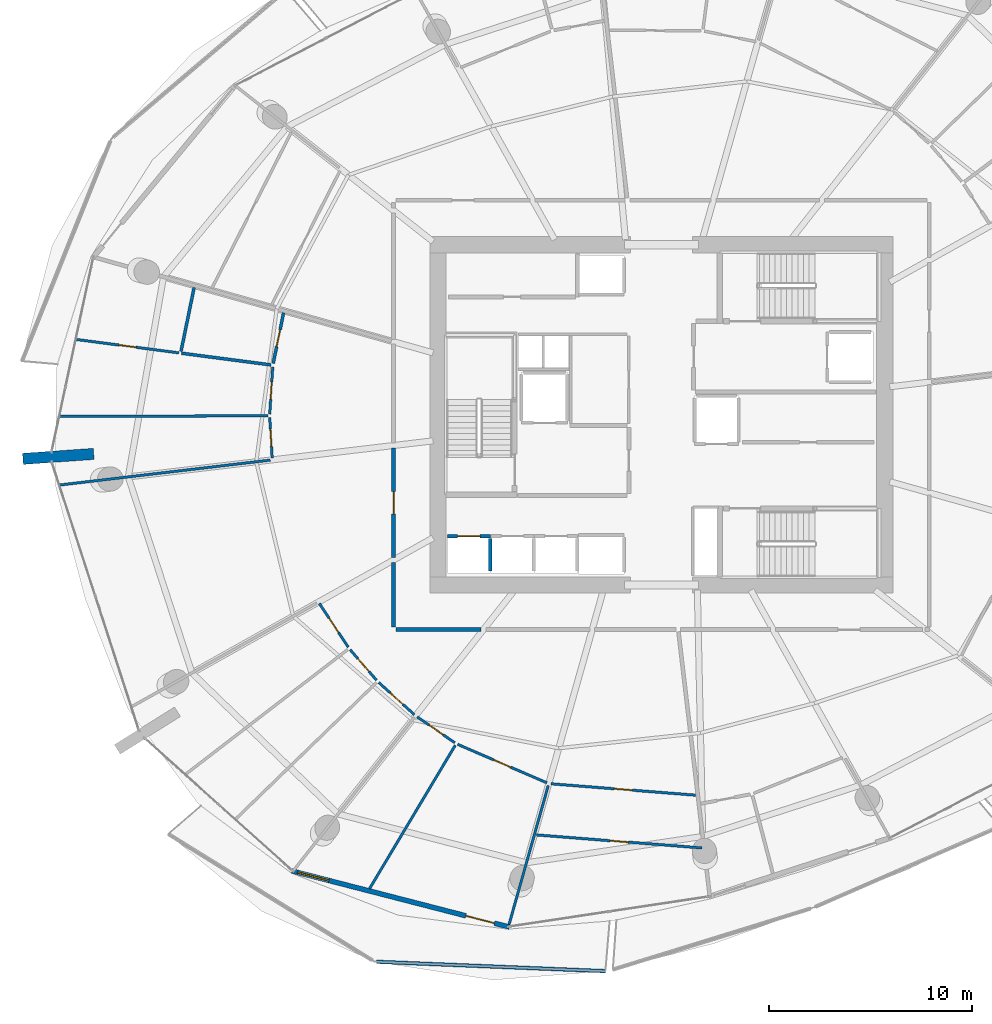
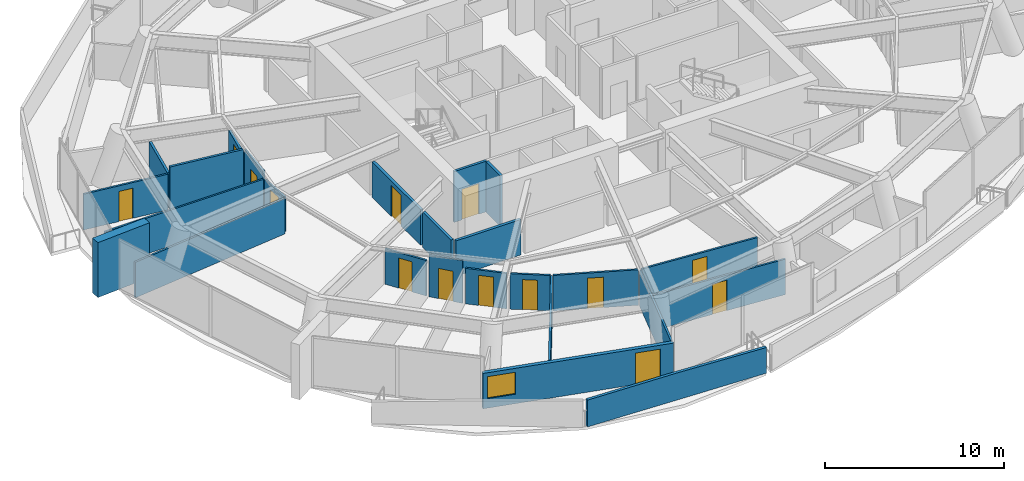
# One storey, part 11 of 23: 25 walls, 14 doors, 1 window, 15 openings.
"""IFC4 building model written with IfcOpenShell, lengths in metres."""

from ifc_helpers import new_model, si_unit, direction, frame, frame_2d, origin, place, context, subcontext, project, spatial, polyline, rectangle, outline, extrude, material, layer, layer_set, type_object, element, fill, save


model = new_model("IFC4")

# Units and contexts
model_context = context("Model", 3, precision=1e-05, world=origin(), true_north=direction((0.0, 1.0)))
body_context = subcontext(model_context, "Body", "Model", "MODEL_VIEW")
ifc_project = project(units=[si_unit("LENGTHUNIT", "METRE"), si_unit("AREAUNIT", "SQUARE_METRE"), si_unit("VOLUMEUNIT", "CUBIC_METRE"), si_unit("PLANEANGLEUNIT", "RADIAN"), si_unit("MASSUNIT", "GRAM", prefix="KILO")], contexts=[model_context])

# Site, building, storey
site_placement = place(None, origin())
site = spatial("IfcSite", under=ifc_project, at=site_placement, CompositionType="ELEMENT")
building_placement = place(site_placement, origin())
building = spatial("IfcBuilding", under=site, at=building_placement, Name="Kazma Halo Residences", CompositionType="ELEMENT")
storey_placement = place(building_placement, frame((0.0, 0.0, 112.64990234375)))
storey = spatial("IfcBuildingStorey", under=building, at=storey_placement, Name="L28", CompositionType="ELEMENT", Elevation=112.64990234375)

# Walls
ifc_material_1 = material(Name="White Concrete C50/60 Balustrade", Category="concrete")
ifc_layer_1 = layer(ifc_material_1, 0.179931640625)
ifc_layer_set_1 = layer_set([ifc_layer_1], Name="White Concrete C50/60 Balustrade")
wall_type_1 = type_object("IfcWallType", Name="WL-BAL-WAVE-180", PredefinedType="PARAPET", material=ifc_layer_set_1)
wall_1_placement = place(storey_placement, frame((34.362548828125, 14.994873046875, 0.0), z_axis=(0.0, 0.0, 1.0), x_axis=(0.999163903461, -0.040883909074, 0.0)))
element("IfcWall", 1, at=wall_1_placement, inside=storey, type_object=wall_type_1, Name="L28 white wave balustrade wall SW.2", PredefinedType="PARAPET", context=body_context, shape_type="SweptSolid", body=[
    extrude(outline(polyline([(0.0, 0.0), (11.316162109375, 0.0), (11.31640625, 1.756103515625), (5.658203125, 1.85302734375), (0.0, 1.83203125), (0.0, 0.0)])), frame((0.0, 0.08984375, 0.0), z_axis=(0.0, -1.0, 0.0), x_axis=(1.0, 0.0, 0.0)), (0.0, 0.0, 1.0), 0.179931640625),
])
ifc_material_2 = material(Name="Pale Concrete C60/75", Category="concrete")
ifc_layer_2 = layer(ifc_material_2, 0.550048828125)
ifc_layer_set_2 = layer_set([ifc_layer_2], Name="Pale Concrete C60/75")
wall_type_2 = type_object("IfcWallType", Name="WL-BLADE-550", PredefinedType="SOLIDWALL", material=ifc_layer_set_2)
wall_2_placement = place(storey_placement, frame((20.393798828125, 40.069580078125, 0.0), z_axis=(0.0, 0.0, 1.0), x_axis=(-0.997564163539, -0.069754853754, 0.0)))
element("IfcWall", 2, at=wall_2_placement, inside=storey, type_object=wall_type_2, Name="L28 pale concrete structural blade fin wall BW-02", PredefinedType="SOLIDWALL", context=body_context, shape_type="SweptSolid", body=[
    extrude(rectangle(XDim=3.5, YDim=0.550048828125, at=frame_2d((1.75, 0.0))), origin(), (0.0, 0.0, 1.0), 3.75),
])

# Wall, opening, door
ifc_material_3 = material(Name="Acoustic Twin-Stud Gypsum")
ifc_layer_3 = layer(ifc_material_3, 0.179931640625)
ifc_layer_set_3 = layer_set([ifc_layer_3], Name="Acoustic Twin-Stud Gypsum")
wall_type_3 = type_object("IfcWallType", Name="WL-DEM-180", PredefinedType="PARTITIONING", material=ifc_layer_set_3)
wall_3_placement = place(storey_placement, frame((35.199951171875, 40.364990234375, 0.0), z_axis=(0.0, 0.0, 1.0), x_axis=(0.0, -1.0, 0.0)))
wall_3 = element("IfcWall", 3, at=wall_3_placement, inside=storey, type_object=wall_type_3, Name="L28 Apartment 1 entrance corridor wall", PredefinedType="PARTITIONING", context=body_context, shape_type="SweptSolid", body=[
    extrude(rectangle(XDim=5.413330078125, YDim=0.179931640625, at=frame_2d((2.70654296875, 0.0))), origin(), (0.0, 0.0, 1.0), 2.427001953125),
])
opening_1_placement = place(wall_3_placement, frame((2.156494140625, 0.0, 0.0)))
opening_1 = element("IfcOpeningElement", 4, at=opening_1_placement, cuts=wall_3, Name="Opening DA-1100", PredefinedType="OPENING", context=body_context, shape_type="SweptSolid", body=[
    extrude(rectangle(XDim=1.10009765625, YDim=2.10009765625, at=frame_2d((0.550048828125, 1.050048828125))), frame((0.0, 0.099853515625, 0.0), z_axis=(0.0, -1.0, 0.0), x_axis=(1.0, 0.0, 0.0)), (0.0, 0.0, 1.0), 0.199951171875),
])
ifc_material_4 = material(Name="Acoustic Walnut Fire Leaf")
door_type_1 = type_object("IfcDoorType", Name="DR-FD60-1100", OperationType="NOTDEFINED", PredefinedType="DOOR", material=ifc_material_4)
door_1_placement = place(opening_1_placement, origin())
door_1 = element("IfcDoor", 5, at=door_1_placement, inside=storey, type_object=door_type_1, Name="L28 Apartment 1 entrance fire door", OperationType="SINGLE_SWING_RIGHT", OverallHeight=2.10009765625, OverallWidth=1.10009765625, PredefinedType="DOOR", context=body_context, shape_type="SweptSolid", body=[
    extrude(rectangle(XDim=1.10009765625, YDim=2.10009765625, at=frame_2d((0.550048828125, 1.050048828125))), frame((0.0, 0.02490234375, 0.0), z_axis=(0.0, -1.0, 0.0), x_axis=(1.0, 0.0, 0.0)), (0.0, 0.0, 1.0), 0.050048828125),
])
fill(opening_1, door_1)

# Walls
wall_4_placement = place(storey_placement, frame((35.199951171875, 34.711669921875, 0.0), z_axis=(0.0, 0.0, 1.0), x_axis=(0.0, -1.0, 0.0)))
element("IfcWall", 6, at=wall_4_placement, inside=storey, type_object=wall_type_3, Name="L28 Apartment 1 inner wall 8", PredefinedType="PARTITIONING", context=body_context, shape_type="SweptSolid", body=[
    extrude(rectangle(XDim=3.191650390625, YDim=0.179931640625, at=frame_2d((1.595703125, 0.0))), origin(), (0.0, 0.0, 1.0), 2.427001953125),
])
wall_5_placement = place(storey_placement, frame((35.320068359375, 31.39990234375, 0.0), z_axis=(0.0, 0.0, 1.0), x_axis=(1.0, 0.0, 0.0)))
element("IfcWall", 7, at=wall_5_placement, inside=storey, type_object=wall_type_3, Name="L28 Apartment 1 inner wall 8", PredefinedType="PARTITIONING", context=body_context, shape_type="SweptSolid", body=[
    extrude(rectangle(XDim=4.20361328125, YDim=0.179931640625, at=frame_2d((2.101806640625, 0.0))), origin(), (0.0, 0.0, 1.0), 2.427001953125),
])

# Wall, openings, door, window
ifc_material_5 = material(Name="Insulated Pale-Metal Composite Wall")
ifc_layer_4 = layer(ifc_material_5, 0.239990234375)
ifc_layer_set_4 = layer_set([ifc_layer_4], Name="Insulated Pale-Metal Composite Wall")
wall_type_4 = type_object("IfcWallType", Name="WL-EXT-HOST-240", PredefinedType="SOLIDWALL", material=ifc_layer_set_4)
wall_6_placement = place(storey_placement, frame((30.18603515625, 19.47705078125, 0.0), z_axis=(0.0, 0.0, 1.0), x_axis=(0.968356180858, -0.249572248045, 0.0)))
wall_6 = element("IfcWall", 8, at=wall_6_placement, inside=storey, type_object=wall_type_4, Name="L28 exterior terrace-access wall B10", PredefinedType="SOLIDWALL", context=body_context, shape_type="SweptSolid", body=[
    extrude(rectangle(XDim=11.08447265625, YDim=0.239990234375, at=frame_2d((5.542236328125, 0.0))), origin(), (0.0, 0.0, 1.0), 2.420166015625),
])
opening_2_placement = place(wall_6_placement, frame((8.864501953125, 0.0, 0.0)))
opening_2 = element("IfcOpeningElement", 9, at=opening_2_placement, cuts=wall_6, Name="Opening DTR-1600", PredefinedType="OPENING", context=body_context, shape_type="SweptSolid", body=[
    extrude(rectangle(XDim=1.449951171875, YDim=2.14990234375, at=frame_2d((0.72509765625, 1.074951171875))), frame((0.0, 0.1298828125, 0.0), z_axis=(0.0, -1.0, 0.0), x_axis=(1.0, 0.0, 0.0)), (0.0, 0.0, 1.0), 0.260009765625),
])
opening_3_placement = place(wall_6_placement, frame((0.280029296875, 0.0, 0.64990234375)))
opening_3 = element("IfcOpeningElement", 10, at=opening_3_placement, cuts=wall_6, Name="Opening W-1800", PredefinedType="OPENING", context=body_context, shape_type="SweptSolid", body=[
    extrude(rectangle(XDim=1.60009765625, YDim=1.5, at=frame_2d((0.800048828125, 0.75))), frame((0.0, 0.1298828125, 0.0), z_axis=(0.0, -1.0, 0.0), x_axis=(1.0, 0.0, 0.0)), (0.0, 0.0, 1.0), 0.260009765625),
])
ifc_material_6 = material(Name="Aluminium AW-6063 T6 Double-Glazed Terrace Door", Category="aluminium")
door_type_2 = type_object("IfcDoorType", Name="DR-EXT-TERR-1600", OperationType="NOTDEFINED", PredefinedType="DOOR", material=ifc_material_6)
door_2_placement = place(opening_2_placement, origin())
door_2 = element("IfcDoor", 11, at=door_2_placement, inside=storey, type_object=door_type_2, Name="L28 B10 balcony terrace door", OperationType="DOUBLE_DOOR_SLIDING", OverallHeight=2.14990234375, OverallWidth=1.449951171875, PredefinedType="DOOR", context=body_context, shape_type="SweptSolid", body=[
    extrude(rectangle(XDim=1.449951171875, YDim=2.14990234375, at=frame_2d((0.72509765625, 1.074951171875))), frame((0.0, 0.02490234375, 0.0), z_axis=(0.0, -1.0, 0.0), x_axis=(1.0, 0.0, 0.0)), (0.0, 0.0, 1.0), 0.050048828125),
])
fill(opening_2, door_2)
ifc_material_7 = material(Name="Clear Triple-Silver Low-E Glass in Aluminium AW-6063 T6 Frame", Category="aluminium")
window_type = type_object("IfcWindowType", Name="WIN-RES-1800", PartitioningType="DOUBLE_PANEL_VERTICAL", PredefinedType="WINDOW", material=ifc_material_7)
window_placement = place(opening_3_placement, origin())
window = element("IfcWindow", 12, at=window_placement, inside=storey, type_object=window_type, Name="L28 B10 apartment window", OverallHeight=1.5, OverallWidth=1.60009765625, PartitioningType="SINGLE_PANEL", PredefinedType="WINDOW", context=body_context, shape_type="SweptSolid", body=[
    extrude(rectangle(XDim=1.60009765625, YDim=1.5, at=frame_2d((0.800048828125, 0.75))), frame((0.0, 0.030029296875, 0.0), z_axis=(0.0, -1.0, 0.0), x_axis=(1.0, 0.0, 0.0)), (0.0, 0.0, 1.0), 0.06005859375),
])
fill(opening_3, window)

# Wall, opening, door
ifc_material_8 = material(Name="Fire-Rated Blockwork Masonry", Category="masonry")
ifc_layer_5 = layer(ifc_material_8, 0.199951171875)
ifc_layer_set_5 = layer_set([ifc_layer_5], Name="Fire-Rated Blockwork Masonry")
wall_type_5 = type_object("IfcWallType", Name="WL-FLB-200", PredefinedType="PARTITIONING", material=ifc_layer_set_5)
wall_7_placement = place(storey_placement, frame((37.864990234375, 36.0048828125, 0.0), z_axis=(0.0, 0.0, 1.0), x_axis=(1.0, 0.0, 0.0)))
wall_7 = element("IfcWall", 13, at=wall_7_placement, inside=storey, type_object=wall_type_5, Name="L28 lift shaft PL-01 front wall", PredefinedType="PARTITIONING", context=body_context, shape_type="SweptSolid", body=[
    extrude(rectangle(XDim=2.110107421875, YDim=0.159912109375, at=frame_2d((1.05517578125, 0.0))), origin(), (0.0, 0.0, 1.0), 3.47021484375),
])
opening_4_placement = place(wall_7_placement, frame((0.5048828125, 0.0, 0.0)))
opening_4 = element("IfcOpeningElement", 14, at=opening_4_placement, cuts=wall_7, Name="Opening LD-PL-01", PredefinedType="OPENING", context=body_context, shape_type="SweptSolid", body=[
    extrude(rectangle(XDim=1.10009765625, YDim=2.10009765625, at=frame_2d((0.550048828125, 1.050048828125))), frame((0.0, 0.08984375, 0.0), z_axis=(0.0, -1.0, 0.0), x_axis=(1.0, 0.0, 0.0)), (0.0, 0.0, 1.0), 0.179931640625),
])
ifc_material_9 = material(Name="Stainless Steel Fire-Rated", Category="steel")
door_type_3 = type_object("IfcDoorType", Name="DR-LIFT-SLD-1100", OperationType="DOUBLE_DOOR_SLIDING", PredefinedType="DOOR", material=ifc_material_9)
door_3_placement = place(opening_4_placement, origin())
door_3 = element("IfcDoor", 15, at=door_3_placement, inside=storey, type_object=door_type_3, Name="L28 lift PL-01 sliding landing door", OperationType="DOUBLE_DOOR_SLIDING", OverallHeight=2.10009765625, OverallWidth=1.10009765625, PredefinedType="DOOR", context=body_context, shape_type="SweptSolid", body=[
    extrude(rectangle(XDim=1.10009765625, YDim=2.10009765625, at=frame_2d((0.550048828125, 1.050048828125))), frame((0.0, 0.02490234375, 0.0), z_axis=(0.0, -1.0, 0.0), x_axis=(1.0, 0.0, 0.0)), (0.0, 0.0, 1.0), 0.050048828125),
])
fill(opening_4, door_3)

# Walls
wall_8_placement = place(storey_placement, frame((39.97509765625, 34.294921875, 0.0), z_axis=(0.0, 0.0, 1.0), x_axis=(0.0, 1.0, 0.0)))
element("IfcWall", 16, at=wall_8_placement, inside=storey, type_object=wall_type_5, Name="L28 lift shaft PL-01 side wall E", PredefinedType="PARTITIONING", context=body_context, shape_type="SweptSolid", body=[
    extrude(rectangle(XDim=1.610107421875, YDim=0.159912109375, at=frame_2d((0.80517578125, 0.0))), origin(), (0.0, 0.0, 1.0), 3.47021484375),
])
ifc_material_10 = material(Name="Gypsum Plasterboard Partition")
ifc_layer_6 = layer(ifc_material_10, 0.125)
ifc_layer_set_6 = layer_set([ifc_layer_6], Name="Gypsum Plasterboard Partition")
wall_type_6 = type_object("IfcWallType", Name="WL-PART-125", PredefinedType="PARTITIONING", material=ifc_layer_set_6)
wall_9_placement = place(storey_placement, frame((29.11279296875, 39.764404296875, 0.0), z_axis=(0.0, 0.0, 1.0), x_axis=(-0.993070875002, -0.117516965677, 0.0)))
element("IfcWall", 17, at=wall_9_placement, inside=storey, type_object=wall_type_6, Name="L28 Apartment 1 living radial partition 6", PredefinedType="PARTITIONING", context=body_context, shape_type="SweptSolid", body=[
    extrude(rectangle(XDim=10.460205078125, YDim=0.125, at=frame_2d((5.22998046875, 0.0))), origin(), (0.0, 0.0, 1.0), 2.427001953125),
])

# Wall, opening, door
wall_10_placement = place(storey_placement, frame((24.60009765625, 45.058837890625, 0.0), z_axis=(0.0, 0.0, 1.0), x_axis=(-0.991566000337, 0.129602727501, 0.0)))
wall_10 = element("IfcWall", 18, at=wall_10_placement, inside=storey, type_object=wall_type_6, Name="L28 Apartment 1 Household Store Room partition wall", PredefinedType="PARTITIONING", context=body_context, shape_type="SweptSolid", body=[
    extrude(rectangle(XDim=5.108642578125, YDim=0.125, at=frame_2d((2.55419921875, 0.0))), origin(), (0.0, 0.0, 1.0), 2.445068359375),
])
opening_5_placement = place(wall_10_placement, frame((2.12939453125, 0.0, 0.0)))
opening_5 = element("IfcOpeningElement", 19, at=opening_5_placement, cuts=wall_10, Name="Opening DB-900", PredefinedType="OPENING", context=body_context, shape_type="SweptSolid", body=[
    extrude(rectangle(XDim=0.85009765625, YDim=2.06005859375, at=frame_2d((0.425048828125, 1.030029296875))), frame((0.0, 0.072509765625, 0.0), z_axis=(0.0, -1.0, 0.0), x_axis=(1.0, 0.0, 0.0)), (0.0, 0.0, 1.0), 0.14501953125),
])
ifc_material_11 = material(Name="Moisture-Sealed Timber Leaf", Category="wood")
door_type_4 = type_object("IfcDoorType", Name="DR-BTH-900", OperationType="NOTDEFINED", PredefinedType="DOOR", material=ifc_material_11)
door_4_placement = place(opening_5_placement, origin())
door_4 = element("IfcDoor", 20, at=door_4_placement, inside=storey, type_object=door_type_4, Name="L28 Apartment 1 Household Store Room door", OperationType="SINGLE_SWING_RIGHT", OverallHeight=2.06005859375, OverallWidth=0.85009765625, PredefinedType="DOOR", context=body_context, shape_type="SweptSolid", body=[
    extrude(rectangle(XDim=0.85009765625, YDim=2.06005859375, at=frame_2d((0.425048828125, 1.030029296875))), frame((0.0, 0.02490234375, 0.0), z_axis=(0.0, -1.0, 0.0), x_axis=(1.0, 0.0, 0.0)), (0.0, 0.0, 1.0), 0.050048828125),
])
fill(opening_5, door_4)

# Wall
wall_11_placement = place(storey_placement, frame((28.9912109375, 41.950927734375, 0.0), z_axis=(0.0, 0.0, 1.0), x_axis=(-0.999996643903, -0.002590788034, 0.0)))
element("IfcWall", 21, at=wall_11_placement, inside=storey, type_object=wall_type_6, Name="L28 Apartment 1 suite divider 6", PredefinedType="PARTITIONING", context=body_context, shape_type="SweptSolid", body=[
    extrude(rectangle(XDim=10.271484375, YDim=0.125, at=frame_2d((5.1357421875, 0.0))), origin(), (0.0, 0.0, 1.0), 2.445068359375),
])

# Wall, opening, door
wall_12_placement = place(storey_placement, frame((29.23486328125, 44.3623046875, 0.0), z_axis=(0.0, 0.0, 1.0), x_axis=(-0.063647003528, -0.99797247404, 0.0)))
wall_12 = element("IfcWall", 22, at=wall_12_placement, inside=storey, type_object=wall_type_6, Name="L28 Apartment 1 Gourmet Kitchen hall wall", PredefinedType="PARTITIONING", context=body_context, shape_type="SweptSolid", body=[
    extrude(rectangle(XDim=2.3359375, YDim=0.125, at=frame_2d((1.16796875, 0.0))), origin(), (0.0, 0.0, 1.0), 2.91015625),
])
opening_6_placement = place(wall_12_placement, frame((0.7431640625, 0.0, 0.0)))
opening_6 = element("IfcOpeningElement", 23, at=opening_6_placement, cuts=wall_12, Name="Opening DB-900", PredefinedType="OPENING", context=body_context, shape_type="SweptSolid", body=[
    extrude(rectangle(XDim=0.85009765625, YDim=2.06005859375, at=frame_2d((0.425048828125, 1.030029296875))), frame((0.0, 0.072509765625, 0.0), z_axis=(0.0, -1.0, 0.0), x_axis=(1.0, 0.0, 0.0)), (0.0, 0.0, 1.0), 0.14501953125),
])
door_5_placement = place(opening_6_placement, origin())
door_5 = element("IfcDoor", 24, at=door_5_placement, inside=storey, type_object=door_type_4, Name="L28 Apartment 1 Gourmet Kitchen door", OperationType="SINGLE_SWING_LEFT", OverallHeight=2.06005859375, OverallWidth=0.85009765625, PredefinedType="DOOR", context=body_context, shape_type="SweptSolid", body=[
    extrude(rectangle(XDim=0.85009765625, YDim=2.06005859375, at=frame_2d((0.425048828125, 1.030029296875))), frame((0.0, 0.02490234375, 0.0), z_axis=(0.0, -1.0, 0.0), x_axis=(1.0, 0.0, 0.0)), (0.0, 0.0, 1.0), 0.050048828125),
])
fill(opening_6, door_5)

wall_13_placement = place(storey_placement, frame((29.0859375, 41.87109375, 0.0), z_axis=(0.0, 0.0, 1.0), x_axis=(0.060104090143, -0.99819211495, 0.0)))
wall_13 = element("IfcWall", 25, at=wall_13_placement, inside=storey, type_object=wall_type_6, Name="L28 Apartment 1 Primary Bedroom hall wall", PredefinedType="PARTITIONING", context=body_context, shape_type="SweptSolid", body=[
    extrude(rectangle(XDim=1.99853515625, YDim=0.125, at=frame_2d((0.999267578125, 0.0))), origin(), (0.0, 0.0, 1.0), 2.427001953125),
])
opening_7_placement = place(wall_13_placement, frame((0.574462890625, 0.0, 0.0)))
opening_7 = element("IfcOpeningElement", 26, at=opening_7_placement, cuts=wall_13, Name="Opening DB-900", PredefinedType="OPENING", context=body_context, shape_type="SweptSolid", body=[
    extrude(rectangle(XDim=0.85009765625, YDim=2.06005859375, at=frame_2d((0.425048828125, 1.030029296875))), frame((0.0, 0.072509765625, 0.0), z_axis=(0.0, -1.0, 0.0), x_axis=(1.0, 0.0, 0.0)), (0.0, 0.0, 1.0), 0.14501953125),
])
door_6_placement = place(opening_7_placement, origin())
door_6 = element("IfcDoor", 27, at=door_6_placement, inside=storey, type_object=door_type_4, Name="L28 Apartment 1 Primary Bedroom door", OperationType="SINGLE_SWING_RIGHT", OverallHeight=2.06005859375, OverallWidth=0.85009765625, PredefinedType="DOOR", context=body_context, shape_type="SweptSolid", body=[
    extrude(rectangle(XDim=0.85009765625, YDim=2.06005859375, at=frame_2d((0.425048828125, 1.030029296875))), frame((0.0, 0.02490234375, 0.0), z_axis=(0.0, -1.0, 0.0), x_axis=(1.0, 0.0, 0.0)), (0.0, 0.0, 1.0), 0.050048828125),
])
fill(opening_7, door_6)

wall_14_placement = place(storey_placement, frame((31.537353515625, 32.68896484375, 0.0), z_axis=(0.0, 0.0, 1.0), x_axis=(0.550619938064, -0.834756062455, 0.0)))
wall_14 = element("IfcWall", 28, at=wall_14_placement, inside=storey, type_object=wall_type_6, Name="L28 Apartment 1 North Bedroom hall wall", PredefinedType="PARTITIONING", context=body_context, shape_type="SweptSolid", body=[
    extrude(rectangle(XDim=2.58642578125, YDim=0.125, at=frame_2d((1.293212890625, 0.0))), origin(), (0.0, 0.0, 1.0), 2.427001953125),
])
opening_8_placement = place(wall_14_placement, frame((0.8681640625, 0.0, 0.0)))
opening_8 = element("IfcOpeningElement", 29, at=opening_8_placement, cuts=wall_14, Name="Opening DB-900", PredefinedType="OPENING", context=body_context, shape_type="SweptSolid", body=[
    extrude(rectangle(XDim=0.85009765625, YDim=2.06005859375, at=frame_2d((0.425048828125, 1.030029296875))), frame((0.0, 0.072509765625, 0.0), z_axis=(0.0, -1.0, 0.0), x_axis=(1.0, 0.0, 0.0)), (0.0, 0.0, 1.0), 0.14501953125),
])
door_7_placement = place(opening_8_placement, origin())
door_7 = element("IfcDoor", 30, at=door_7_placement, inside=storey, type_object=door_type_4, Name="L28 Apartment 1 North Bedroom door", OperationType="SINGLE_SWING_RIGHT", OverallHeight=2.06005859375, OverallWidth=0.85009765625, PredefinedType="DOOR", context=body_context, shape_type="SweptSolid", body=[
    extrude(rectangle(XDim=0.85009765625, YDim=2.06005859375, at=frame_2d((0.425048828125, 1.030029296875))), frame((0.0, 0.02490234375, 0.0), z_axis=(0.0, -1.0, 0.0), x_axis=(1.0, 0.0, 0.0)), (0.0, 0.0, 1.0), 0.050048828125),
])
fill(opening_8, door_7)

wall_15_placement = place(storey_placement, frame((33.057861328125, 30.402587890625, 0.0), z_axis=(0.0, 0.0, 1.0), x_axis=(0.653992855141, -0.756500724008, 0.0)))
wall_15 = element("IfcWall", 31, at=wall_15_placement, inside=storey, type_object=wall_type_6, Name="L28 Apartment 1 South Study hall wall", PredefinedType="PARTITIONING", context=body_context, shape_type="SweptSolid", body=[
    extrude(rectangle(XDim=1.993408203125, YDim=0.125, at=frame_2d((0.99658203125, 0.0))), origin(), (0.0, 0.0, 1.0), 2.91015625),
])
opening_9_placement = place(wall_15_placement, frame((0.57177734375, 0.0, 0.0)))
opening_9 = element("IfcOpeningElement", 32, at=opening_9_placement, cuts=wall_15, Name="Opening DB-900", PredefinedType="OPENING", context=body_context, shape_type="SweptSolid", body=[
    extrude(rectangle(XDim=0.85009765625, YDim=2.06005859375, at=frame_2d((0.425048828125, 1.030029296875))), frame((0.0, 0.072509765625, 0.0), z_axis=(0.0, -1.0, 0.0), x_axis=(1.0, 0.0, 0.0)), (0.0, 0.0, 1.0), 0.14501953125),
])
door_8_placement = place(opening_9_placement, origin())
door_8 = element("IfcDoor", 33, at=door_8_placement, inside=storey, type_object=door_type_4, Name="L28 Apartment 1 South Study door", OperationType="SINGLE_SWING_LEFT", OverallHeight=2.06005859375, OverallWidth=0.85009765625, PredefinedType="DOOR", context=body_context, shape_type="SweptSolid", body=[
    extrude(rectangle(XDim=0.85009765625, YDim=2.06005859375, at=frame_2d((0.425048828125, 1.030029296875))), frame((0.0, 0.02490234375, 0.0), z_axis=(0.0, -1.0, 0.0), x_axis=(1.0, 0.0, 0.0)), (0.0, 0.0, 1.0), 0.050048828125),
])
fill(opening_9, door_8)

wall_16_placement = place(storey_placement, frame((34.47314453125, 28.780517578125, 0.0), z_axis=(0.0, 0.0, 1.0), x_axis=(0.742276601868, -0.670093610117, 0.0)))
wall_16 = element("IfcWall", 34, at=wall_16_placement, inside=storey, type_object=wall_type_6, Name="L28 Apartment 1 Inner Bedroom hall wall", PredefinedType="PARTITIONING", context=body_context, shape_type="SweptSolid", body=[
    extrude(rectangle(XDim=2.3642578125, YDim=0.125, at=frame_2d((1.18212890625, 0.0))), origin(), (0.0, 0.0, 1.0), 2.427001953125),
])
opening_10_placement = place(wall_16_placement, frame((0.757080078125, 0.0, 0.0)))
opening_10 = element("IfcOpeningElement", 35, at=opening_10_placement, cuts=wall_16, Name="Opening DB-900", PredefinedType="OPENING", context=body_context, shape_type="SweptSolid", body=[
    extrude(rectangle(XDim=0.85009765625, YDim=2.06005859375, at=frame_2d((0.425048828125, 1.030029296875))), frame((0.0, 0.072509765625, 0.0), z_axis=(0.0, -1.0, 0.0), x_axis=(1.0, 0.0, 0.0)), (0.0, 0.0, 1.0), 0.14501953125),
])
door_9_placement = place(opening_10_placement, origin())
door_9 = element("IfcDoor", 36, at=door_9_placement, inside=storey, type_object=door_type_4, Name="L28 Apartment 1 Inner Bedroom door", OperationType="SINGLE_SWING_RIGHT", OverallHeight=2.06005859375, OverallWidth=0.85009765625, PredefinedType="DOOR", context=body_context, shape_type="SweptSolid", body=[
    extrude(rectangle(XDim=0.85009765625, YDim=2.06005859375, at=frame_2d((0.425048828125, 1.030029296875))), frame((0.0, 0.02490234375, 0.0), z_axis=(0.0, -1.0, 0.0), x_axis=(1.0, 0.0, 0.0)), (0.0, 0.0, 1.0), 0.050048828125),
])
fill(opening_10, door_9)

# Wall
wall_17_placement = place(storey_placement, frame((38.24658203125, 25.683837890625, 0.0), z_axis=(0.0, 0.0, 1.0), x_axis=(-0.51308300355, -0.858338995658, 0.0)))
element("IfcWall", 37, at=wall_17_placement, inside=storey, type_object=wall_type_6, Name="L28 Apartment 1 mid-bay wall 9", PredefinedType="PARTITIONING", context=body_context, shape_type="SweptSolid", body=[
    extrude(rectangle(XDim=8.238037109375, YDim=0.125, at=frame_2d((4.119140625, 0.0))), origin(), (0.0, 0.0, 1.0), 2.445068359375),
])

# Wall, opening, door
wall_18_placement = place(storey_placement, frame((36.369873046875, 27.0859375, 0.0), z_axis=(0.0, 0.0, 1.0), x_axis=(0.823491864383, -0.567328079065, 0.0)))
wall_18 = element("IfcWall", 38, at=wall_18_placement, inside=storey, type_object=wall_type_6, Name="L28 Apartment 1 Outer Wine Pantry Store hall wall", PredefinedType="PARTITIONING", context=body_context, shape_type="SweptSolid", body=[
    extrude(rectangle(XDim=2.2548828125, YDim=0.125, at=frame_2d((1.12744140625, 0.0))), origin(), (0.0, 0.0, 1.0), 2.427001953125),
])
opening_11_placement = place(wall_18_placement, frame((0.702392578125, 0.0, 0.0)))
opening_11 = element("IfcOpeningElement", 39, at=opening_11_placement, cuts=wall_18, Name="Opening DB-900", PredefinedType="OPENING", context=body_context, shape_type="SweptSolid", body=[
    extrude(rectangle(XDim=0.85009765625, YDim=2.06005859375, at=frame_2d((0.425048828125, 1.030029296875))), frame((0.0, 0.072509765625, 0.0), z_axis=(0.0, -1.0, 0.0), x_axis=(1.0, 0.0, 0.0)), (0.0, 0.0, 1.0), 0.14501953125),
])
door_10_placement = place(opening_11_placement, origin())
door_10 = element("IfcDoor", 40, at=door_10_placement, inside=storey, type_object=door_type_4, Name="L28 Apartment 1 Outer Wine Pantry Store door", OperationType="SINGLE_SWING_RIGHT", OverallHeight=2.06005859375, OverallWidth=0.85009765625, PredefinedType="DOOR", context=body_context, shape_type="SweptSolid", body=[
    extrude(rectangle(XDim=0.85009765625, YDim=2.06005859375, at=frame_2d((0.425048828125, 1.030029296875))), frame((0.0, 0.02490234375, 0.0), z_axis=(0.0, -1.0, 0.0), x_axis=(1.0, 0.0, 0.0)), (0.0, 0.0, 1.0), 0.050048828125),
])
fill(opening_11, door_10)

wall_19_placement = place(storey_placement, frame((38.3662109375, 25.7294921875, 0.0), z_axis=(0.0, 0.0, 1.0), x_axis=(0.918374782562, -0.395711711673, 0.0)))
wall_19 = element("IfcWall", 41, at=wall_19_placement, inside=storey, type_object=wall_type_6, Name="L28 Apartment 1 Corner Formal Dining Room hall wall", PredefinedType="PARTITIONING", context=body_context, shape_type="SweptSolid", body=[
    extrude(rectangle(XDim=4.798095703125, YDim=0.125, at=frame_2d((2.39892578125, 0.0))), origin(), (0.0, 0.0, 1.0), 2.427001953125),
])
opening_12_placement = place(wall_19_placement, frame((1.94921875, 0.0, 0.0)))
opening_12 = element("IfcOpeningElement", 42, at=opening_12_placement, cuts=wall_19, Name="Opening DI-950", PredefinedType="OPENING", context=body_context, shape_type="SweptSolid", body=[
    extrude(rectangle(XDim=0.89990234375, YDim=2.080078125, at=frame_2d((0.449951171875, 1.0400390625))), frame((0.0, 0.072509765625, 0.0), z_axis=(0.0, -1.0, 0.0), x_axis=(1.0, 0.0, 0.0)), (0.0, 0.0, 1.0), 0.14501953125),
])
ifc_material_12 = material(Name="Timber Veneer Flush Leaf", Category="wood")
door_type_5 = type_object("IfcDoorType", Name="DR-INT-950", OperationType="NOTDEFINED", PredefinedType="DOOR", material=ifc_material_12)
door_11_placement = place(opening_12_placement, origin())
door_11 = element("IfcDoor", 43, at=door_11_placement, inside=storey, type_object=door_type_5, Name="L28 Apartment 1 Corner Formal Dining Room door", OperationType="SINGLE_SWING_LEFT", OverallHeight=2.080078125, OverallWidth=0.89990234375, PredefinedType="DOOR", context=body_context, shape_type="SweptSolid", body=[
    extrude(rectangle(XDim=0.89990234375, YDim=2.080078125, at=frame_2d((0.449951171875, 1.0400390625))), frame((0.0, 0.02490234375, 0.0), z_axis=(0.0, -1.0, 0.0), x_axis=(1.0, 0.0, 0.0)), (0.0, 0.0, 1.0), 0.050048828125),
])
fill(opening_12, door_11)

# Wall
wall_20_placement = place(storey_placement, frame((42.83740234375, 23.695068359375, 0.0), z_axis=(0.0, 0.0, 1.0), x_axis=(-0.271444688389, -0.962454041056, 0.0)))
element("IfcWall", 44, at=wall_20_placement, inside=storey, type_object=wall_type_6, Name="L28 Apartment 1 radial partition 10", PredefinedType="PARTITIONING", context=body_context, shape_type="SweptSolid", body=[
    extrude(rectangle(XDim=7.118896484375, YDim=0.125, at=frame_2d((3.5595703125, 0.0))), origin(), (0.0, 0.0, 1.0), 2.427001953125),
])

# Wall, opening, door
wall_21_placement = place(storey_placement, frame((42.974365234375, 23.78271484375, 0.0), z_axis=(0.0, 0.0, 1.0), x_axis=(0.996916140978, -0.078474249642, 0.0)))
wall_21 = element("IfcWall", 45, at=wall_21_placement, inside=storey, type_object=wall_type_6, Name="L28 Apartment 1 Garden Study hall wall", PredefinedType="PARTITIONING", context=body_context, shape_type="SweptSolid", body=[
    extrude(rectangle(XDim=7.16162109375, YDim=0.125, at=frame_2d((3.580810546875, 0.0))), origin(), (0.0, 0.0, 1.0), 2.427001953125),
])
opening_13_placement = place(wall_21_placement, frame((3.130859375, 0.0, 0.0)))
opening_13 = element("IfcOpeningElement", 46, at=opening_13_placement, cuts=wall_21, Name="Opening DI-950", PredefinedType="OPENING", context=body_context, shape_type="SweptSolid", body=[
    extrude(rectangle(XDim=0.89990234375, YDim=2.080078125, at=frame_2d((0.449951171875, 1.0400390625))), frame((0.0, 0.072509765625, 0.0), z_axis=(0.0, -1.0, 0.0), x_axis=(1.0, 0.0, 0.0)), (0.0, 0.0, 1.0), 0.14501953125),
])
door_12_placement = place(opening_13_placement, origin())
door_12 = element("IfcDoor", 47, at=door_12_placement, inside=storey, type_object=door_type_5, Name="L28 Apartment 1 Garden Study door", OperationType="SINGLE_SWING_LEFT", OverallHeight=2.080078125, OverallWidth=0.89990234375, PredefinedType="DOOR", context=body_context, shape_type="SweptSolid", body=[
    extrude(rectangle(XDim=0.89990234375, YDim=2.080078125, at=frame_2d((0.449951171875, 1.0400390625))), frame((0.0, 0.02490234375, 0.0), z_axis=(0.0, -1.0, 0.0), x_axis=(1.0, 0.0, 0.0)), (0.0, 0.0, 1.0), 0.050048828125),
])
fill(opening_13, door_12)

wall_22_placement = place(storey_placement, frame((42.26220703125, 21.25830078125, 0.0), z_axis=(0.0, 0.0, 1.0), x_axis=(0.99691622747, -0.078473150864, 0.0)))
wall_22 = element("IfcWall", 48, at=wall_22_placement, inside=storey, type_object=wall_type_6, Name="L28 Apartment 1 Sky Bedroom divider wall", PredefinedType="PARTITIONING", context=body_context, shape_type="SweptSolid", body=[
    extrude(rectangle(XDim=8.185302734375, YDim=0.125, at=frame_2d((4.0927734375, 0.0))), origin(), (0.0, 0.0, 1.0), 2.427001953125),
])
opening_14_placement = place(wall_22_placement, frame((3.642578125, 0.0, 0.0)))
opening_14 = element("IfcOpeningElement", 49, at=opening_14_placement, cuts=wall_22, Name="Opening DI-950", PredefinedType="OPENING", context=body_context, shape_type="SweptSolid", body=[
    extrude(rectangle(XDim=0.89990234375, YDim=2.080078125, at=frame_2d((0.449951171875, 1.0400390625))), frame((0.0, 0.072509765625, 0.0), z_axis=(0.0, -1.0, 0.0), x_axis=(1.0, 0.0, 0.0)), (0.0, 0.0, 1.0), 0.14501953125),
])
door_13_placement = place(opening_14_placement, origin())
door_13 = element("IfcDoor", 50, at=door_13_placement, inside=storey, type_object=door_type_5, Name="L28 Apartment 1 Sky Bedroom door", OperationType="SINGLE_SWING_RIGHT", OverallHeight=2.080078125, OverallWidth=0.89990234375, PredefinedType="DOOR", context=body_context, shape_type="SweptSolid", body=[
    extrude(rectangle(XDim=0.89990234375, YDim=2.080078125, at=frame_2d((0.449951171875, 1.0400390625))), frame((0.0, 0.02490234375, 0.0), z_axis=(0.0, -1.0, 0.0), x_axis=(1.0, 0.0, 0.0)), (0.0, 0.0, 1.0), 0.050048828125),
])
fill(opening_14, door_13)

ifc_material_13 = material(Name="Moisture-Resistant Gypsum")
ifc_layer_7 = layer(ifc_material_13, 0.14990234375)
ifc_layer_set_7 = layer_set([ifc_layer_7], Name="Moisture-Resistant Gypsum")
wall_type_7 = type_object("IfcWallType", Name="WL-WET-150", PredefinedType="PARTITIONING", material=ifc_layer_set_7)
wall_23_placement = place(storey_placement, frame((29.771240234375, 47.037353515625, 0.0), z_axis=(0.0, 0.0, 1.0), x_axis=(-0.201031337284, -0.979584810739, 0.0)))
wall_23 = element("IfcWall", 51, at=wall_23_placement, inside=storey, type_object=wall_type_7, Name="L28 Apartment 1 Guest Bathroom hall wall", PredefinedType="PARTITIONING", context=body_context, shape_type="SweptSolid", body=[
    extrude(rectangle(XDim=2.549072265625, YDim=0.14990234375, at=frame_2d((1.2744140625, 0.0))), origin(), (0.0, 0.0, 1.0), 2.427001953125),
])
opening_15_placement = place(wall_23_placement, frame((0.849609375, 0.0, 0.0)))
opening_15 = element("IfcOpeningElement", 52, at=opening_15_placement, cuts=wall_23, Name="Opening DB-900", PredefinedType="OPENING", context=body_context, shape_type="SweptSolid", body=[
    extrude(rectangle(XDim=0.85009765625, YDim=2.06005859375, at=frame_2d((0.425048828125, 1.030029296875))), frame((0.0, 0.0849609375, 0.0), z_axis=(0.0, -1.0, 0.0), x_axis=(1.0, 0.0, 0.0)), (0.0, 0.0, 1.0), 0.169921875),
])
door_14_placement = place(opening_15_placement, origin())
door_14 = element("IfcDoor", 53, at=door_14_placement, inside=storey, type_object=door_type_4, Name="L28 Apartment 1 Guest Bathroom door", OperationType="SINGLE_SWING_LEFT", OverallHeight=2.06005859375, OverallWidth=0.85009765625, PredefinedType="DOOR", context=body_context, shape_type="SweptSolid", body=[
    extrude(rectangle(XDim=0.85009765625, YDim=2.06005859375, at=frame_2d((0.425048828125, 1.030029296875))), frame((0.0, 0.02490234375, 0.0), z_axis=(0.0, -1.0, 0.0), x_axis=(1.0, 0.0, 0.0)), (0.0, 0.0, 1.0), 0.050048828125),
])
fill(opening_15, door_14)

# Walls
wall_24_placement = place(storey_placement, frame((25.353515625, 48.283203125, 0.0), z_axis=(0.0, 0.0, 1.0), x_axis=(-0.201037617238, -0.979583521939, 0.0)))
element("IfcWall", 54, at=wall_24_placement, inside=storey, type_object=wall_type_7, Name="L28 Apartment 1 Guest Bathroom back wall", PredefinedType="PARTITIONING", context=body_context, shape_type="SweptSolid", body=[
    extrude(rectangle(XDim=3.21337890625, YDim=0.14990234375, at=frame_2d((1.606689453125, 0.0))), origin(), (0.0, 0.0, 1.0), 2.427001953125),
])
wall_25_placement = place(storey_placement, frame((29.1513671875, 44.4638671875, 0.0), z_axis=(0.0, 0.0, 1.0), x_axis=(-0.991563130501, 0.129624682181, 0.0)))
element("IfcWall", 55, at=wall_25_placement, inside=storey, type_object=wall_type_7, Name="L28 Apartment 1 Guest Bathroom side wall", PredefinedType="PARTITIONING", context=body_context, shape_type="SweptSolid", body=[
    extrude(rectangle(XDim=4.4599609375, YDim=0.14990234375, at=frame_2d((2.22998046875, 0.0))), origin(), (0.0, 0.0, 1.0), 2.91015625),
])

save(model, "model.ifc")
